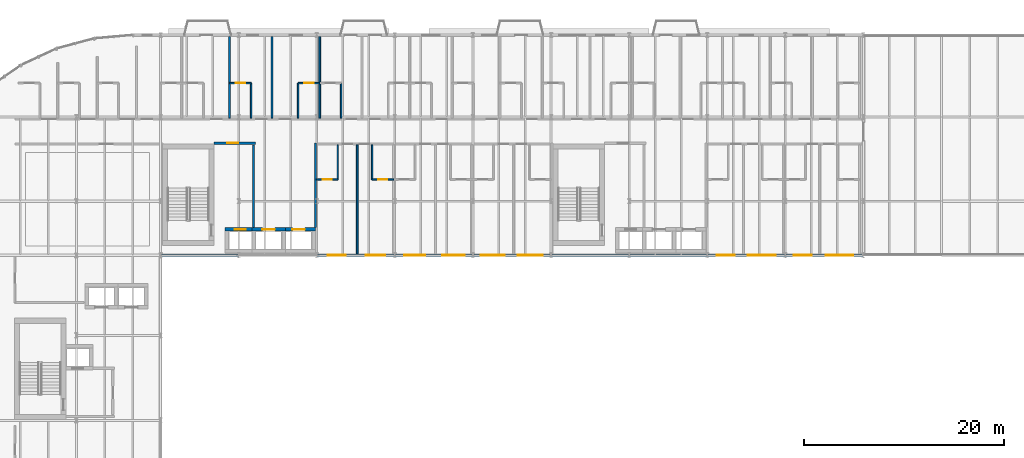
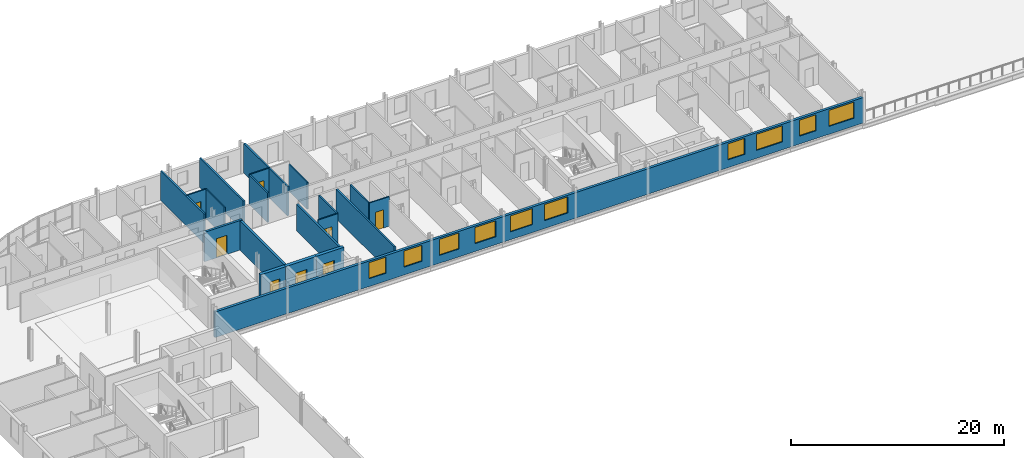
# One storey, part 20 of 30: 20 walls, 10 windows, 8 doors, 18 openings.
"""IFC4 building model written with IfcOpenShell, lengths in metres."""

from ifc_helpers import new_model, si_unit, direction, frame, frame_2d, origin, place, context, subcontext, project, spatial, rectangle, extrude, material, layer, layer_set, type_object, element, fill, save


model = new_model("IFC4")

# Units and contexts
model_context = context("Model", 3, precision=1e-05, world=origin(), true_north=direction((0.0, 1.0)))
body_context = subcontext(model_context, "Body", "Model", "MODEL_VIEW")
ifc_project = project(units=[si_unit("LENGTHUNIT", "METRE"), si_unit("AREAUNIT", "SQUARE_METRE"), si_unit("VOLUMEUNIT", "CUBIC_METRE"), si_unit("PLANEANGLEUNIT", "RADIAN"), si_unit("MASSUNIT", "GRAM", prefix="KILO")], contexts=[model_context])

# Site, building, storey
site_placement = place(None, origin())
site = spatial("IfcSite", under=ifc_project, at=site_placement, CompositionType="ELEMENT")
building_placement = place(site_placement, origin())
building = spatial("IfcBuilding", under=site, at=building_placement, Name="Sefraquen Railside Congress Hotel", CompositionType="ELEMENT")
storey_placement = place(building_placement, frame((0.0, 0.0, 35.39990234375)))
storey = spatial("IfcBuildingStorey", under=building, at=storey_placement, Name="L08", CompositionType="ELEMENT", Elevation=35.39990234375)

# Wall, opening, door
ifc_material_1 = material(Name="Concrete C50/60", Category="concrete")
ifc_layer_1 = layer(ifc_material_1, 0.35009765625)
ifc_layer_set_1 = layer_set([ifc_layer_1], Name="Concrete C50/60")
wall_type_1 = type_object("IfcWallType", Name="TW-CW-350", PredefinedType="SHEAR", material=ifc_layer_set_1)
wall_1_placement = place(storey_placement, frame((31.639892578125, 98.594970703125, 0.0), z_axis=(0.0, 0.0, 1.0), x_axis=(1.0, 0.0, 0.0)))
wall_1 = element("IfcWall", 1, at=wall_1_placement, inside=storey, type_object=wall_type_1, Name="Lift FL-02 shaft wall N L08", PredefinedType="SHEAR", context=body_context, shape_type="SweptSolid", body=[
    extrude(rectangle(XDim=2.690185546875, YDim=0.35009765625, at=frame_2d((1.34521484375, 0.0))), origin(), (0.0, 0.0, 1.0), 3.380126953125),
])
opening_1_placement = place(wall_1_placement, frame((0.969970703125, 0.0, 0.0)))
opening_1 = element("IfcOpeningElement", 2, at=opening_1_placement, cuts=wall_1, Name="Opening LD-01", PredefinedType="OPENING", context=body_context, shape_type="SweptSolid", body=[
    extrude(rectangle(XDim=1.10009765625, YDim=2.199951171875, at=frame_2d((0.550048828125, 1.10009765625))), frame((0.0, 0.18505859375, 0.0), z_axis=(0.0, -1.0, 0.0), x_axis=(1.0, 0.0, 0.0)), (0.0, 0.0, 1.0), 0.3701171875),
])
ifc_material_2 = material(Name="Brushed bronze stainless steel", Category="steel")
door_type_1 = type_object("IfcDoorType", Name="TD-LD-01", OperationType="NOTDEFINED", PredefinedType="DOOR", material=ifc_material_2)
door_1_placement = place(opening_1_placement, origin())
door_1 = element("IfcDoor", 3, at=door_1_placement, inside=storey, type_object=door_type_1, Name="Lift landing door FL-02 L08", OperationType="SLIDING_TO_LEFT", OverallHeight=2.199951171875, OverallWidth=1.10009765625, PredefinedType="DOOR", context=body_context, shape_type="SweptSolid", body=[
    extrude(rectangle(XDim=1.10009765625, YDim=2.199951171875, at=frame_2d((0.550048828125, 1.10009765625))), frame((0.0, 0.02490234375, 0.0), z_axis=(0.0, -1.0, 0.0), x_axis=(1.0, 0.0, 0.0)), (0.0, 0.0, 1.0), 0.050048828125),
])
fill(opening_1, door_1)

wall_2_placement = place(storey_placement, frame((34.330078125, 98.594970703125, 0.0), z_axis=(0.0, 0.0, 1.0), x_axis=(1.0, 0.0, 0.0)))
wall_2 = element("IfcWall", 4, at=wall_2_placement, inside=storey, type_object=wall_type_1, Name="Lift PL-03 shaft wall N L08", PredefinedType="SHEAR", context=body_context, shape_type="SweptSolid", body=[
    extrude(rectangle(XDim=3.33984375, YDim=0.35009765625, at=frame_2d((1.669921875, 0.0))), origin(), (0.0, 0.0, 1.0), 3.380126953125),
])
opening_2_placement = place(wall_2_placement, frame((1.044921875, 0.0, 0.0)))
opening_2 = element("IfcOpeningElement", 5, at=opening_2_placement, cuts=wall_2, Name="Opening LD-02", PredefinedType="OPENING", context=body_context, shape_type="SweptSolid", body=[
    extrude(rectangle(XDim=1.25, YDim=2.25, at=frame_2d((0.625, 1.125))), frame((0.0, 0.18505859375, 0.0), z_axis=(0.0, -1.0, 0.0), x_axis=(1.0, 0.0, 0.0)), (0.0, 0.0, 1.0), 0.3701171875),
])
ifc_material_3 = material(Name="Brushed stainless steel", Category="steel")
door_type_2 = type_object("IfcDoorType", Name="TD-LD-02", OperationType="NOTDEFINED", PredefinedType="DOOR", material=ifc_material_3)
door_2_placement = place(opening_2_placement, origin())
door_2 = element("IfcDoor", 6, at=door_2_placement, inside=storey, type_object=door_type_2, Name="Lift landing door PL-03 L08", OperationType="SLIDING_TO_LEFT", OverallHeight=2.25, OverallWidth=1.25, PredefinedType="DOOR", context=body_context, shape_type="SweptSolid", body=[
    extrude(rectangle(XDim=1.25, YDim=2.25, at=frame_2d((0.625, 1.125))), frame((0.0, 0.02490234375, 0.0), z_axis=(0.0, -1.0, 0.0), x_axis=(1.0, 0.0, 0.0)), (0.0, 0.0, 1.0), 0.050048828125),
])
fill(opening_2, door_2)

wall_3_placement = place(storey_placement, frame((37.669921875, 98.594970703125, 0.0), z_axis=(0.0, 0.0, 1.0), x_axis=(1.0, 0.0, 0.0)))
wall_3 = element("IfcWall", 7, at=wall_3_placement, inside=storey, type_object=wall_type_1, Name="Lift PL-04 shaft wall N L08", PredefinedType="SHEAR", context=body_context, shape_type="SweptSolid", body=[
    extrude(rectangle(XDim=2.989990234375, YDim=0.35009765625, at=frame_2d((1.4951171875, 0.0))), origin(), (0.0, 0.0, 1.0), 3.380126953125),
])
opening_3_placement = place(wall_3_placement, frame((0.695068359375, 0.0, 0.0)))
opening_3 = element("IfcOpeningElement", 8, at=opening_3_placement, cuts=wall_3, Name="Opening LD-02", PredefinedType="OPENING", context=body_context, shape_type="SweptSolid", body=[
    extrude(rectangle(XDim=1.25, YDim=2.25, at=frame_2d((0.625, 1.125))), frame((0.0, 0.18505859375, 0.0), z_axis=(0.0, -1.0, 0.0), x_axis=(1.0, 0.0, 0.0)), (0.0, 0.0, 1.0), 0.3701171875),
])
door_3_placement = place(opening_3_placement, origin())
door_3 = element("IfcDoor", 9, at=door_3_placement, inside=storey, type_object=door_type_2, Name="Lift landing door PL-04 L08", OperationType="SLIDING_TO_LEFT", OverallHeight=2.25, OverallWidth=1.25, PredefinedType="DOOR", context=body_context, shape_type="SweptSolid", body=[
    extrude(rectangle(XDim=1.25, YDim=2.25, at=frame_2d((0.625, 1.125))), frame((0.0, 0.02490234375, 0.0), z_axis=(0.0, -1.0, 0.0), x_axis=(1.0, 0.0, 0.0)), (0.0, 0.0, 1.0), 0.050048828125),
])
fill(opening_3, door_3)

# Wall, openings, windows
ifc_material_4 = material(Name="Ochre Rabat calcarenite limestone and Concrete C40/50 backing", Category="masonry")
ifc_layer_2 = layer(ifc_material_4, 0.280029296875)
ifc_layer_set_2 = layer_set([ifc_layer_2], Name="Ochre Rabat calcarenite limestone and Concrete C40/50 backing")
wall_type_2 = type_object("IfcWallType", Name="TW-EW-280", PredefinedType="STANDARD", material=ifc_layer_set_2)
wall_4_placement = place(storey_placement, frame((25.199951171875, 96.0, 0.0), z_axis=(0.0, 0.0, 1.0), x_axis=(1.0, 0.0, 0.0)))
wall_4 = element("IfcWall", 10, at=wall_4_placement, inside=storey, type_object=wall_type_2, Name="Hotel L08 south courtyard facade wall", PredefinedType="STANDARD", context=body_context, shape_type="SweptSolid", body=[
    extrude(rectangle(XDim=70.199951171875, YDim=0.280029296875, at=frame_2d((35.10009765625, 0.0))), origin(), (0.0, 0.0, 1.0), 2.920166015625),
])
opening_4_placement = place(wall_4_placement, frame((16.694091796875, 0.0, 0.89990234375)))
opening_4 = element("IfcOpeningElement", 11, at=opening_4_placement, cuts=wall_4, Name="Opening WN-05", PredefinedType="OPENING", context=body_context, shape_type="SweptSolid", body=[
    extrude(rectangle(XDim=1.800048828125, YDim=1.840087890625, at=frame_2d((0.89990234375, 0.919921875))), frame((0.0, 0.14990234375, 0.0), z_axis=(0.0, -1.0, 0.0), x_axis=(1.0, 0.0, 0.0)), (0.0, 0.0, 1.0), 0.300048828125),
])
opening_5_placement = place(wall_4_placement, frame((20.48193359375, 0.0, 0.89990234375)))
opening_5 = element("IfcOpeningElement", 12, at=opening_5_placement, cuts=wall_4, Name="Opening WN-06", PredefinedType="OPENING", context=body_context, shape_type="SweptSolid", body=[
    extrude(rectangle(XDim=1.949951171875, YDim=1.840087890625, at=frame_2d((0.97509765625, 0.919921875))), frame((0.0, 0.14990234375, 0.0), z_axis=(0.0, -1.0, 0.0), x_axis=(1.0, 0.0, 0.0)), (0.0, 0.0, 1.0), 0.300048828125),
])
opening_6_placement = place(wall_4_placement, frame((24.31591796875, 0.0, 0.89990234375)))
opening_6 = element("IfcOpeningElement", 13, at=opening_6_placement, cuts=wall_4, Name="Opening WN-07", PredefinedType="OPENING", context=body_context, shape_type="SweptSolid", body=[
    extrude(rectangle(XDim=2.10009765625, YDim=1.840087890625, at=frame_2d((1.050048828125, 0.919921875))), frame((0.0, 0.14990234375, 0.0), z_axis=(0.0, -1.0, 0.0), x_axis=(1.0, 0.0, 0.0)), (0.0, 0.0, 1.0), 0.300048828125),
])
opening_7_placement = place(wall_4_placement, frame((28.14892578125, 0.0, 0.89990234375)))
opening_7 = element("IfcOpeningElement", 14, at=opening_7_placement, cuts=wall_4, Name="Opening WN-08", PredefinedType="OPENING", context=body_context, shape_type="SweptSolid", body=[
    extrude(rectangle(XDim=2.25, YDim=1.840087890625, at=frame_2d((1.125, 0.919921875))), frame((0.0, 0.14990234375, 0.0), z_axis=(0.0, -1.0, 0.0), x_axis=(1.0, 0.0, 0.0)), (0.0, 0.0, 1.0), 0.300048828125),
])
opening_8_placement = place(wall_4_placement, frame((31.98291015625, 0.0, 0.89990234375)))
opening_8 = element("IfcOpeningElement", 15, at=opening_8_placement, cuts=wall_4, Name="Opening WN-09", PredefinedType="OPENING", context=body_context, shape_type="SweptSolid", body=[
    extrude(rectangle(XDim=2.39990234375, YDim=1.840087890625, at=frame_2d((1.199951171875, 0.919921875))), frame((0.0, 0.14990234375, 0.0), z_axis=(0.0, -1.0, 0.0), x_axis=(1.0, 0.0, 0.0)), (0.0, 0.0, 1.0), 0.300048828125),
])
opening_9_placement = place(wall_4_placement, frame((35.681884765625, 0.0, 0.89990234375)))
opening_9 = element("IfcOpeningElement", 16, at=opening_9_placement, cuts=wall_4, Name="Opening WN-10", PredefinedType="OPENING", context=body_context, shape_type="SweptSolid", body=[
    extrude(rectangle(XDim=2.508056640625, YDim=1.840087890625, at=frame_2d((1.25390625, 0.919921875))), frame((0.0, 0.14990234375, 0.0), z_axis=(0.0, -1.0, 0.0), x_axis=(1.0, 0.0, 0.0)), (0.0, 0.0, 1.0), 0.300048828125),
])
opening_10_placement = place(wall_4_placement, frame((55.56005859375, 0.0, 0.89990234375)))
opening_10 = element("IfcOpeningElement", 17, at=opening_10_placement, cuts=wall_4, Name="Opening WN-11", PredefinedType="OPENING", context=body_context, shape_type="SweptSolid", body=[
    extrude(rectangle(XDim=1.800048828125, YDim=1.840087890625, at=frame_2d((0.89990234375, 0.919921875))), frame((0.0, 0.14990234375, 0.0), z_axis=(0.0, -1.0, 0.0), x_axis=(1.0, 0.0, 0.0)), (0.0, 0.0, 1.0), 0.300048828125),
])
opening_11_placement = place(wall_4_placement, frame((58.6279296875, 0.0, 0.89990234375)))
opening_11 = element("IfcOpeningElement", 18, at=opening_11_placement, cuts=wall_4, Name="Opening WN-12", PredefinedType="OPENING", context=body_context, shape_type="SweptSolid", body=[
    extrude(rectangle(XDim=2.80908203125, YDim=1.840087890625, at=frame_2d((1.404541015625, 0.919921875))), frame((0.0, 0.14990234375, 0.0), z_axis=(0.0, -1.0, 0.0), x_axis=(1.0, 0.0, 0.0)), (0.0, 0.0, 1.0), 0.300048828125),
])
opening_12_placement = place(wall_4_placement, frame((63.257080078125, 0.0, 0.89990234375)))
opening_12 = element("IfcOpeningElement", 19, at=opening_12_placement, cuts=wall_4, Name="Opening WN-13", PredefinedType="OPENING", context=body_context, shape_type="SweptSolid", body=[
    extrude(rectangle(XDim=1.800048828125, YDim=1.840087890625, at=frame_2d((0.89990234375, 0.919921875))), frame((0.0, 0.14990234375, 0.0), z_axis=(0.0, -1.0, 0.0), x_axis=(1.0, 0.0, 0.0)), (0.0, 0.0, 1.0), 0.300048828125),
])
opening_13_placement = place(wall_4_placement, frame((66.452880859375, 0.0, 0.89990234375)))
opening_13 = element("IfcOpeningElement", 20, at=opening_13_placement, cuts=wall_4, Name="Opening WN-14", PredefinedType="OPENING", context=body_context, shape_type="SweptSolid", body=[
    extrude(rectangle(XDim=2.737060546875, YDim=1.840087890625, at=frame_2d((1.36865234375, 0.919921875))), frame((0.0, 0.14990234375, 0.0), z_axis=(0.0, -1.0, 0.0), x_axis=(1.0, 0.0, 0.0)), (0.0, 0.0, 1.0), 0.300048828125),
])
ifc_material_5 = material(Name="Solar-control low-E double glazing in bronze-anodised frame", Category="glass")
window_type_1 = type_object("IfcWindowType", Name="TWN-W-05", PartitioningType="DOUBLE_PANEL_VERTICAL", PredefinedType="WINDOW", material=ifc_material_5)
window_1_placement = place(opening_4_placement, origin())
window_1 = element("IfcWindow", 21, at=window_1_placement, inside=storey, type_object=window_type_1, Name="Guest room courtyard window SP-L08-RM-017", OverallHeight=1.840087890625, OverallWidth=1.800048828125, PartitioningType="DOUBLE_PANEL_VERTICAL", PredefinedType="WINDOW", context=body_context, shape_type="SweptSolid", body=[
    extrude(rectangle(XDim=1.800048828125, YDim=1.840087890625, at=frame_2d((0.89990234375, 0.919921875))), frame((0.0, 0.030029296875, 0.0), z_axis=(0.0, -1.0, 0.0), x_axis=(1.0, 0.0, 0.0)), (0.0, 0.0, 1.0), 0.06005859375),
])
fill(opening_4, window_1)
window_type_2 = type_object("IfcWindowType", Name="TWN-W-06", PartitioningType="DOUBLE_PANEL_VERTICAL", PredefinedType="WINDOW", material=ifc_material_5)
window_2_placement = place(opening_5_placement, origin())
window_2 = element("IfcWindow", 22, at=window_2_placement, inside=storey, type_object=window_type_2, Name="Guest room courtyard window SP-L08-RM-018", OverallHeight=1.840087890625, OverallWidth=1.949951171875, PartitioningType="DOUBLE_PANEL_VERTICAL", PredefinedType="WINDOW", context=body_context, shape_type="SweptSolid", body=[
    extrude(rectangle(XDim=1.949951171875, YDim=1.840087890625, at=frame_2d((0.97509765625, 0.919921875))), frame((0.0, 0.030029296875, 0.0), z_axis=(0.0, -1.0, 0.0), x_axis=(1.0, 0.0, 0.0)), (0.0, 0.0, 1.0), 0.06005859375),
])
fill(opening_5, window_2)
window_type_3 = type_object("IfcWindowType", Name="TWN-W-07", PartitioningType="DOUBLE_PANEL_VERTICAL", PredefinedType="WINDOW", material=ifc_material_5)
window_3_placement = place(opening_6_placement, origin())
window_3 = element("IfcWindow", 23, at=window_3_placement, inside=storey, type_object=window_type_3, Name="Guest room courtyard window SP-L08-RM-019", OverallHeight=1.840087890625, OverallWidth=2.10009765625, PartitioningType="DOUBLE_PANEL_VERTICAL", PredefinedType="WINDOW", context=body_context, shape_type="SweptSolid", body=[
    extrude(rectangle(XDim=2.10009765625, YDim=1.840087890625, at=frame_2d((1.050048828125, 0.919921875))), frame((0.0, 0.030029296875, 0.0), z_axis=(0.0, -1.0, 0.0), x_axis=(1.0, 0.0, 0.0)), (0.0, 0.0, 1.0), 0.06005859375),
])
fill(opening_6, window_3)
window_type_4 = type_object("IfcWindowType", Name="TWN-W-08", PartitioningType="DOUBLE_PANEL_VERTICAL", PredefinedType="WINDOW", material=ifc_material_5)
window_4_placement = place(opening_7_placement, origin())
window_4 = element("IfcWindow", 24, at=window_4_placement, inside=storey, type_object=window_type_4, Name="Guest room courtyard window SP-L08-RM-020", OverallHeight=1.840087890625, OverallWidth=2.25, PartitioningType="DOUBLE_PANEL_VERTICAL", PredefinedType="WINDOW", context=body_context, shape_type="SweptSolid", body=[
    extrude(rectangle(XDim=2.25, YDim=1.840087890625, at=frame_2d((1.125, 0.919921875))), frame((0.0, 0.030029296875, 0.0), z_axis=(0.0, -1.0, 0.0), x_axis=(1.0, 0.0, 0.0)), (0.0, 0.0, 1.0), 0.06005859375),
])
fill(opening_7, window_4)
window_type_5 = type_object("IfcWindowType", Name="TWN-W-09", PartitioningType="DOUBLE_PANEL_VERTICAL", PredefinedType="WINDOW", material=ifc_material_5)
window_5_placement = place(opening_8_placement, origin())
window_5 = element("IfcWindow", 25, at=window_5_placement, inside=storey, type_object=window_type_5, Name="Guest room courtyard window SP-L08-RM-021", OverallHeight=1.840087890625, OverallWidth=2.39990234375, PartitioningType="DOUBLE_PANEL_VERTICAL", PredefinedType="WINDOW", context=body_context, shape_type="SweptSolid", body=[
    extrude(rectangle(XDim=2.39990234375, YDim=1.840087890625, at=frame_2d((1.199951171875, 0.919921875))), frame((0.0, 0.030029296875, 0.0), z_axis=(0.0, -1.0, 0.0), x_axis=(1.0, 0.0, 0.0)), (0.0, 0.0, 1.0), 0.06005859375),
])
fill(opening_8, window_5)
window_type_6 = type_object("IfcWindowType", Name="TWN-W-10", PartitioningType="DOUBLE_PANEL_VERTICAL", PredefinedType="WINDOW", material=ifc_material_5)
window_6_placement = place(opening_9_placement, origin())
window_6 = element("IfcWindow", 26, at=window_6_placement, inside=storey, type_object=window_type_6, Name="Guest room courtyard window SP-L08-RM-022", OverallHeight=1.840087890625, OverallWidth=2.508056640625, PartitioningType="DOUBLE_PANEL_VERTICAL", PredefinedType="WINDOW", context=body_context, shape_type="SweptSolid", body=[
    extrude(rectangle(XDim=2.508056640625, YDim=1.840087890625, at=frame_2d((1.25390625, 0.919921875))), frame((0.0, 0.030029296875, 0.0), z_axis=(0.0, -1.0, 0.0), x_axis=(1.0, 0.0, 0.0)), (0.0, 0.0, 1.0), 0.06005859375),
])
fill(opening_9, window_6)
window_type_7 = type_object("IfcWindowType", Name="TWN-W-11", PartitioningType="DOUBLE_PANEL_VERTICAL", PredefinedType="WINDOW", material=ifc_material_5)
window_7_placement = place(opening_10_placement, origin())
window_7 = element("IfcWindow", 27, at=window_7_placement, inside=storey, type_object=window_type_7, Name="Guest room courtyard window SP-L08-RM-023", OverallHeight=1.840087890625, OverallWidth=1.800048828125, PartitioningType="DOUBLE_PANEL_VERTICAL", PredefinedType="WINDOW", context=body_context, shape_type="SweptSolid", body=[
    extrude(rectangle(XDim=1.800048828125, YDim=1.840087890625, at=frame_2d((0.89990234375, 0.919921875))), frame((0.0, 0.030029296875, 0.0), z_axis=(0.0, -1.0, 0.0), x_axis=(1.0, 0.0, 0.0)), (0.0, 0.0, 1.0), 0.06005859375),
])
fill(opening_10, window_7)
window_type_8 = type_object("IfcWindowType", Name="TWN-W-12", PartitioningType="DOUBLE_PANEL_VERTICAL", PredefinedType="WINDOW", material=ifc_material_5)
window_8_placement = place(opening_11_placement, origin())
window_8 = element("IfcWindow", 28, at=window_8_placement, inside=storey, type_object=window_type_8, Name="Guest room courtyard window SP-L08-RM-024", OverallHeight=1.840087890625, OverallWidth=2.80908203125, PartitioningType="DOUBLE_PANEL_VERTICAL", PredefinedType="WINDOW", context=body_context, shape_type="SweptSolid", body=[
    extrude(rectangle(XDim=2.80908203125, YDim=1.840087890625, at=frame_2d((1.404541015625, 0.919921875))), frame((0.0, 0.030029296875, 0.0), z_axis=(0.0, -1.0, 0.0), x_axis=(1.0, 0.0, 0.0)), (0.0, 0.0, 1.0), 0.06005859375),
])
fill(opening_11, window_8)
window_type_9 = type_object("IfcWindowType", Name="TWN-W-13", PartitioningType="DOUBLE_PANEL_VERTICAL", PredefinedType="WINDOW", material=ifc_material_5)
window_9_placement = place(opening_12_placement, origin())
window_9 = element("IfcWindow", 29, at=window_9_placement, inside=storey, type_object=window_type_9, Name="Guest room courtyard window SP-L08-RM-025", OverallHeight=1.840087890625, OverallWidth=1.800048828125, PartitioningType="DOUBLE_PANEL_VERTICAL", PredefinedType="WINDOW", context=body_context, shape_type="SweptSolid", body=[
    extrude(rectangle(XDim=1.800048828125, YDim=1.840087890625, at=frame_2d((0.89990234375, 0.919921875))), frame((0.0, 0.030029296875, 0.0), z_axis=(0.0, -1.0, 0.0), x_axis=(1.0, 0.0, 0.0)), (0.0, 0.0, 1.0), 0.06005859375),
])
fill(opening_12, window_9)
window_type_10 = type_object("IfcWindowType", Name="TWN-W-14", PartitioningType="DOUBLE_PANEL_VERTICAL", PredefinedType="WINDOW", material=ifc_material_5)
window_10_placement = place(opening_13_placement, origin())
window_10 = element("IfcWindow", 30, at=window_10_placement, inside=storey, type_object=window_type_10, Name="Guest room courtyard window SP-L08-RM-026", OverallHeight=1.840087890625, OverallWidth=2.737060546875, PartitioningType="DOUBLE_PANEL_VERTICAL", PredefinedType="WINDOW", context=body_context, shape_type="SweptSolid", body=[
    extrude(rectangle(XDim=2.737060546875, YDim=1.840087890625, at=frame_2d((1.36865234375, 0.919921875))), frame((0.0, 0.030029296875, 0.0), z_axis=(0.0, -1.0, 0.0), x_axis=(1.0, 0.0, 0.0)), (0.0, 0.0, 1.0), 0.06005859375),
])
fill(opening_13, window_10)

# Wall
ifc_material_6 = material(Name="Concrete C40/50", Category="concrete")
ifc_layer_3 = layer(ifc_material_6, 0.239990234375)
ifc_layer_set_3 = layer_set([ifc_layer_3], Name="Concrete C40/50")
wall_type_3 = type_object("IfcWallType", Name="TW-FW-240", PredefinedType="STANDARD", material=ifc_layer_set_3)
wall_5_placement = place(storey_placement, frame((34.47998046875, 98.780029296875, 0.0), z_axis=(0.0, 0.0, 1.0), x_axis=(0.0, 1.0, 0.0)))
element("IfcWall", 31, at=wall_5_placement, inside=storey, type_object=wall_type_3, Name="Firefighting Lift Lobby FFL-02 east fire wall L08", PredefinedType="STANDARD", context=body_context, shape_type="SweptSolid", body=[
    extrude(rectangle(XDim=8.239990234375, YDim=0.239990234375, at=frame_2d((4.1201171875, 0.0))), origin(), (0.0, 0.0, 1.0), 3.380126953125),
])

# Wall, opening, door
wall_6_placement = place(storey_placement, frame((30.56005859375, 107.199951171875, 0.0), z_axis=(0.0, 0.0, 1.0), x_axis=(1.0, 0.0, 0.0)))
wall_6 = element("IfcWall", 32, at=wall_6_placement, inside=storey, type_object=wall_type_3, Name="Firefighting Lift Lobby FFL-02 EI 120 separation wall L08", PredefinedType="STANDARD", context=body_context, shape_type="SweptSolid", body=[
    extrude(rectangle(XDim=4.099853515625, YDim=0.239990234375, at=frame_2d((2.0498046875, 0.0))), origin(), (0.0, 0.0, 1.0), 3.380126953125),
])
opening_14_placement = place(wall_6_placement, frame((1.300048828125, 0.0, 0.0)))
opening_14 = element("IfcOpeningElement", 33, at=opening_14_placement, cuts=wall_6, Name="Opening FD-04", PredefinedType="OPENING", context=body_context, shape_type="SweptSolid", body=[
    extrude(rectangle(XDim=1.10009765625, YDim=2.199951171875, at=frame_2d((0.550048828125, 1.10009765625))), frame((0.0, 0.1298828125, 0.0), z_axis=(0.0, -1.0, 0.0), x_axis=(1.0, 0.0, 0.0)), (0.0, 0.0, 1.0), 0.260009765625),
])
ifc_material_7 = material(Name="Fire-rated steel", Category="steel")
door_type_3 = type_object("IfcDoorType", Name="TD-FD-04", OperationType="NOTDEFINED", PredefinedType="DOOR", material=ifc_material_7)
door_4_placement = place(opening_14_placement, origin())
door_4 = element("IfcDoor", 34, at=door_4_placement, inside=storey, type_object=door_type_3, Name="Firefighting Lift Lobby FFL-02 self-closing fire door L08", OperationType="SINGLE_SWING_RIGHT", OverallHeight=2.199951171875, OverallWidth=1.10009765625, PredefinedType="DOOR", context=body_context, shape_type="SweptSolid", body=[
    extrude(rectangle(XDim=1.10009765625, YDim=2.199951171875, at=frame_2d((0.550048828125, 1.10009765625))), frame((0.0, 0.02490234375, 0.0), z_axis=(0.0, -1.0, 0.0), x_axis=(1.0, 0.0, 0.0)), (0.0, 0.0, 1.0), 0.050048828125),
])
fill(opening_14, door_4)

# Wall
ifc_material_8 = material(Name="Moisture-resistant gypsum board", Category="gypsum")
ifc_layer_4 = layer(ifc_material_8, 0.139892578125)
ifc_layer_set_4 = layer_set([ifc_layer_4], Name="Moisture-resistant gypsum board")
wall_type_4 = type_object("IfcWallType", Name="TW-PW-140", PredefinedType="PARTITIONING", material=ifc_layer_set_4)
wall_7_placement = place(storey_placement, frame((34.239990234375, 109.699951171875, 0.0), z_axis=(0.0, 0.0, 1.0), x_axis=(0.0, 1.0, 0.0)))
element("IfcWall", 35, at=wall_7_placement, inside=storey, type_object=wall_type_4, Name="En-suite bathroom east wall RM-003", PredefinedType="PARTITIONING", context=body_context, shape_type="SweptSolid", body=[
    extrude(rectangle(XDim=3.5, YDim=0.139892578125, at=frame_2d((1.75, 0.0))), origin(), (0.0, 0.0, 1.0), 3.380126953125),
])

# Wall, opening, door
wall_8_placement = place(storey_placement, frame((32.090087890625, 113.199951171875, 0.0), z_axis=(0.0, 0.0, 1.0), x_axis=(1.0, 0.0, 0.0)))
wall_8 = element("IfcWall", 36, at=wall_8_placement, inside=storey, type_object=wall_type_4, Name="En-suite bathroom north wall RM-003", PredefinedType="PARTITIONING", context=body_context, shape_type="SweptSolid", body=[
    extrude(rectangle(XDim=2.14990234375, YDim=0.139892578125, at=frame_2d((1.074951171875, 0.0))), origin(), (0.0, 0.0, 1.0), 3.380126953125),
])
opening_15_placement = place(wall_8_placement, frame((0.60498046875, 0.0, 0.0)))
opening_15 = element("IfcOpeningElement", 37, at=opening_15_placement, cuts=wall_8, Name="Opening ID-01", PredefinedType="OPENING", context=body_context, shape_type="SweptSolid", body=[
    extrude(rectangle(XDim=0.93994140625, YDim=2.14990234375, at=frame_2d((0.469970703125, 1.074951171875))), frame((0.0, 0.079833984375, 0.0), z_axis=(0.0, -1.0, 0.0), x_axis=(1.0, 0.0, 0.0)), (0.0, 0.0, 1.0), 0.159912109375),
])
ifc_material_9 = material(Name="Lacquered cedar joinery", Category="wood")
door_type_4 = type_object("IfcDoorType", Name="TD-ID-01", OperationType="NOTDEFINED", PredefinedType="DOOR", material=ifc_material_9)
door_5_placement = place(opening_15_placement, origin())
door_5 = element("IfcDoor", 38, at=door_5_placement, inside=storey, type_object=door_type_4, Name="En-suite bathroom door RM-003", OperationType="SINGLE_SWING_LEFT", OverallHeight=2.14990234375, OverallWidth=0.93994140625, PredefinedType="DOOR", context=body_context, shape_type="SweptSolid", body=[
    extrude(rectangle(XDim=0.93994140625, YDim=2.14990234375, at=frame_2d((0.469970703125, 1.074951171875))), frame((0.0, 0.02490234375, 0.0), z_axis=(0.0, -1.0, 0.0), x_axis=(1.0, 0.0, 0.0)), (0.0, 0.0, 1.0), 0.050048828125),
])
fill(opening_15, door_5)

# Wall
wall_9_placement = place(storey_placement, frame((38.93994140625, 109.699951171875, 0.0), z_axis=(0.0, 0.0, 1.0), x_axis=(0.0, 1.0, 0.0)))
element("IfcWall", 39, at=wall_9_placement, inside=storey, type_object=wall_type_4, Name="En-suite bathroom west wall RM-004", PredefinedType="PARTITIONING", context=body_context, shape_type="SweptSolid", body=[
    extrude(rectangle(XDim=3.5, YDim=0.139892578125, at=frame_2d((1.75, 0.0))), origin(), (0.0, 0.0, 1.0), 3.380126953125),
])

# Wall, opening, door
wall_10_placement = place(storey_placement, frame((38.93994140625, 113.199951171875, 0.0), z_axis=(0.0, 0.0, 1.0), x_axis=(1.0, 0.0, 0.0)))
wall_10 = element("IfcWall", 40, at=wall_10_placement, inside=storey, type_object=wall_type_4, Name="En-suite bathroom north wall RM-004", PredefinedType="PARTITIONING", context=body_context, shape_type="SweptSolid", body=[
    extrude(rectangle(XDim=2.150146484375, YDim=0.139892578125, at=frame_2d((1.0751953125, 0.0))), origin(), (0.0, 0.0, 1.0), 3.380126953125),
])
opening_16_placement = place(wall_10_placement, frame((0.60498046875, 0.0, 0.0)))
opening_16 = element("IfcOpeningElement", 41, at=opening_16_placement, cuts=wall_10, Name="Opening ID-01", PredefinedType="OPENING", context=body_context, shape_type="SweptSolid", body=[
    extrude(rectangle(XDim=0.93994140625, YDim=2.14990234375, at=frame_2d((0.469970703125, 1.074951171875))), frame((0.0, 0.079833984375, 0.0), z_axis=(0.0, -1.0, 0.0), x_axis=(1.0, 0.0, 0.0)), (0.0, 0.0, 1.0), 0.159912109375),
])
door_6_placement = place(opening_16_placement, origin())
door_6 = element("IfcDoor", 42, at=door_6_placement, inside=storey, type_object=door_type_4, Name="En-suite bathroom door RM-004", OperationType="SINGLE_SWING_LEFT", OverallHeight=2.14990234375, OverallWidth=0.93994140625, PredefinedType="DOOR", context=body_context, shape_type="SweptSolid", body=[
    extrude(rectangle(XDim=0.93994140625, YDim=2.14990234375, at=frame_2d((0.469970703125, 1.074951171875))), frame((0.0, 0.02490234375, 0.0), z_axis=(0.0, -1.0, 0.0), x_axis=(1.0, 0.0, 0.0)), (0.0, 0.0, 1.0), 0.050048828125),
])
fill(opening_16, door_6)

# Walls
wall_11_placement = place(storey_placement, frame((43.239990234375, 109.699951171875, 0.0), z_axis=(0.0, 0.0, 1.0), x_axis=(0.0, 1.0, 0.0)))
element("IfcWall", 43, at=wall_11_placement, inside=storey, type_object=wall_type_4, Name="En-suite bathroom east wall RM-005", PredefinedType="PARTITIONING", context=body_context, shape_type="SweptSolid", body=[
    extrude(rectangle(XDim=3.5, YDim=0.139892578125, at=frame_2d((1.75, 0.0))), origin(), (0.0, 0.0, 1.0), 3.070068359375),
])
wall_12_placement = place(storey_placement, frame((42.89990234375, 103.550048828125, 0.0), z_axis=(0.0, 0.0, 1.0), x_axis=(0.0, 1.0, 0.0)))
element("IfcWall", 44, at=wall_12_placement, inside=storey, type_object=wall_type_4, Name="En-suite bathroom east wall RM-017", PredefinedType="PARTITIONING", context=body_context, shape_type="SweptSolid", body=[
    extrude(rectangle(XDim=3.469970703125, YDim=0.139892578125, at=frame_2d((1.73486328125, 0.0))), origin(), (0.0, 0.0, 1.0), 3.380126953125),
])

# Wall, opening, door
wall_13_placement = place(storey_placement, frame((40.75, 103.550048828125, 0.0), z_axis=(0.0, 0.0, 1.0), x_axis=(1.0, 0.0, 0.0)))
wall_13 = element("IfcWall", 45, at=wall_13_placement, inside=storey, type_object=wall_type_4, Name="En-suite bathroom south wall RM-017", PredefinedType="PARTITIONING", context=body_context, shape_type="SweptSolid", body=[
    extrude(rectangle(XDim=2.14990234375, YDim=0.139892578125, at=frame_2d((1.074951171875, 0.0))), origin(), (0.0, 0.0, 1.0), 3.380126953125),
])
opening_17_placement = place(wall_13_placement, frame((0.625, 0.0, 0.0)))
opening_17 = element("IfcOpeningElement", 46, at=opening_17_placement, cuts=wall_13, Name="Opening ID-02", PredefinedType="OPENING", context=body_context, shape_type="SweptSolid", body=[
    extrude(rectangle(XDim=0.89990234375, YDim=2.10009765625, at=frame_2d((0.449951171875, 1.050048828125))), frame((0.0, 0.079833984375, 0.0), z_axis=(0.0, -1.0, 0.0), x_axis=(1.0, 0.0, 0.0)), (0.0, 0.0, 1.0), 0.159912109375),
])
door_type_5 = type_object("IfcDoorType", Name="TD-ID-02", OperationType="NOTDEFINED", PredefinedType="DOOR", material=ifc_material_9)
door_7_placement = place(opening_17_placement, frame((0.89990234375, 0.0, 0.0), z_axis=(0.0, 0.0, 1.0), x_axis=(-1.0, 0.0, 0.0)))
door_7 = element("IfcDoor", 47, at=door_7_placement, inside=storey, type_object=door_type_5, Name="En-suite bathroom door RM-017", OperationType="SINGLE_SWING_LEFT", OverallHeight=2.10009765625, OverallWidth=0.89990234375, PredefinedType="DOOR", context=body_context, shape_type="SweptSolid", body=[
    extrude(rectangle(XDim=0.89990234375, YDim=2.10009765625, at=frame_2d((0.449951171875, 1.050048828125))), frame((0.0, 0.02490234375, 0.0), z_axis=(0.0, -1.0, 0.0), x_axis=(1.0, 0.0, 0.0)), (0.0, 0.0, 1.0), 0.050048828125),
])
fill(opening_17, door_7)

# Wall
wall_14_placement = place(storey_placement, frame((46.326904296875, 103.550048828125, 0.0), z_axis=(0.0, 0.0, 1.0), x_axis=(0.0, 1.0, 0.0)))
element("IfcWall", 48, at=wall_14_placement, inside=storey, type_object=wall_type_4, Name="En-suite bathroom west wall RM-018", PredefinedType="PARTITIONING", context=body_context, shape_type="SweptSolid", body=[
    extrude(rectangle(XDim=3.469970703125, YDim=0.139892578125, at=frame_2d((1.73486328125, 0.0))), origin(), (0.0, 0.0, 1.0), 3.380126953125),
])

# Wall, opening, door
wall_15_placement = place(storey_placement, frame((46.326904296875, 103.550048828125, 0.0), z_axis=(0.0, 0.0, 1.0), x_axis=(1.0, 0.0, 0.0)))
wall_15 = element("IfcWall", 49, at=wall_15_placement, inside=storey, type_object=wall_type_4, Name="En-suite bathroom south wall RM-018", PredefinedType="PARTITIONING", context=body_context, shape_type="SweptSolid", body=[
    extrude(rectangle(XDim=2.150146484375, YDim=0.139892578125, at=frame_2d((1.0751953125, 0.0))), origin(), (0.0, 0.0, 1.0), 3.380126953125),
])
opening_18_placement = place(wall_15_placement, frame((0.625, 0.0, 0.0)))
opening_18 = element("IfcOpeningElement", 50, at=opening_18_placement, cuts=wall_15, Name="Opening ID-02", PredefinedType="OPENING", context=body_context, shape_type="SweptSolid", body=[
    extrude(rectangle(XDim=0.89990234375, YDim=2.10009765625, at=frame_2d((0.449951171875, 1.050048828125))), frame((0.0, 0.079833984375, 0.0), z_axis=(0.0, -1.0, 0.0), x_axis=(1.0, 0.0, 0.0)), (0.0, 0.0, 1.0), 0.159912109375),
])
door_8_placement = place(opening_18_placement, frame((0.89990234375, 0.0, 0.0), z_axis=(0.0, 0.0, 1.0), x_axis=(-1.0, 0.0, 0.0)))
door_8 = element("IfcDoor", 51, at=door_8_placement, inside=storey, type_object=door_type_5, Name="En-suite bathroom door RM-018", OperationType="SINGLE_SWING_LEFT", OverallHeight=2.10009765625, OverallWidth=0.89990234375, PredefinedType="DOOR", context=body_context, shape_type="SweptSolid", body=[
    extrude(rectangle(XDim=0.89990234375, YDim=2.10009765625, at=frame_2d((0.449951171875, 1.050048828125))), frame((0.0, 0.02490234375, 0.0), z_axis=(0.0, -1.0, 0.0), x_axis=(1.0, 0.0, 0.0)), (0.0, 0.0, 1.0), 0.050048828125),
])
fill(opening_18, door_8)

# Walls
ifc_material_10 = material(Name="Acoustic gypsum board on metal stud", Category="gypsum")
ifc_layer_5 = layer(ifc_material_10, 0.179931640625)
ifc_layer_set_5 = layer_set([ifc_layer_5], Name="Acoustic gypsum board on metal stud")
wall_type_5 = type_object("IfcWallType", Name="TW-PW-180", PredefinedType="PARTITIONING", material=ifc_layer_set_5)
for number, where, z_axis, x_axis, name in (
    (52, (32.090087890625, 109.699951171875, 0.0), (0.0, 0.0, 1.0), (0.0, 1.0, 0.0), "Guest room demising wall RM-002"),
    (53, (36.320068359375, 109.699951171875, 0.0), (0.0, 0.0, 1.0), (0.0, 1.0, 0.0), "Guest room demising wall RM-003"),
    (54, (41.090087890625, 109.699951171875, 0.0), (0.0, 0.0, 1.0), (0.0, 1.0, 0.0), "Guest room demising wall RM-004"),
):
    element("IfcWall", number, at=place(storey_placement, frame(where, z_axis=z_axis, x_axis=x_axis)), inside=storey, type_object=wall_type_5, Name=name, PredefinedType="PARTITIONING", context=body_context, shape_type="SweptSolid", body=[
        extrude(rectangle(XDim=8.150146484375, YDim=0.179931640625, at=frame_2d((4.0751953125, 0.0))), origin(), (0.0, 0.0, 1.0), 3.380126953125),
    ])
wall_16_placement = place(storey_placement, frame((44.837890625, 96.139892578125, 0.0), z_axis=(0.0, 0.0, 1.0), x_axis=(0.0, 1.0, 0.0)))
element("IfcWall", 55, at=wall_16_placement, inside=storey, type_object=wall_type_5, Name="South guest room demising wall RM-017", PredefinedType="PARTITIONING", context=body_context, shape_type="SweptSolid", body=[
    extrude(rectangle(XDim=10.880126953125, YDim=0.179931640625, at=frame_2d((5.43994140625, 0.0))), origin(), (0.0, 0.0, 1.0), 3.380126953125),
])
ifc_layer_6 = layer(ifc_material_10, 0.199951171875)
ifc_layer_set_6 = layer_set([ifc_layer_6], Name="Acoustic gypsum board on metal stud")
wall_type_6 = type_object("IfcWallType", Name="TW-PW-200", PredefinedType="PARTITIONING", material=ifc_layer_set_6)
wall_17_placement = place(storey_placement, frame((40.659912109375, 98.77001953125, 0.0), z_axis=(0.0, 0.0, 1.0), x_axis=(0.0, 1.0, 0.0)))
element("IfcWall", 56, at=wall_17_placement, inside=storey, type_object=wall_type_6, Name="Hotel L08 south-mid west end fire-rated partition", PredefinedType="PARTITIONING", context=body_context, shape_type="SweptSolid", body=[
    extrude(rectangle(XDim=8.449951171875, YDim=0.199951171875, at=frame_2d((4.22509765625, 0.0))), origin(), (0.0, 0.0, 1.0), 3.010009765625),
])

save(model, "model.ifc")
